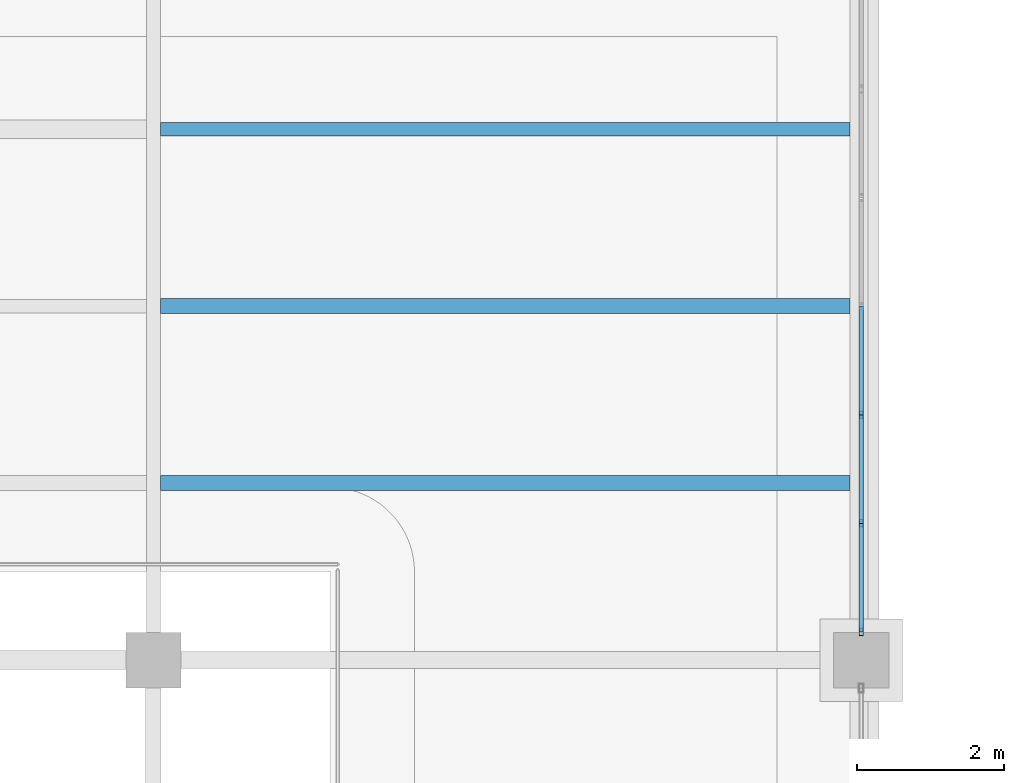
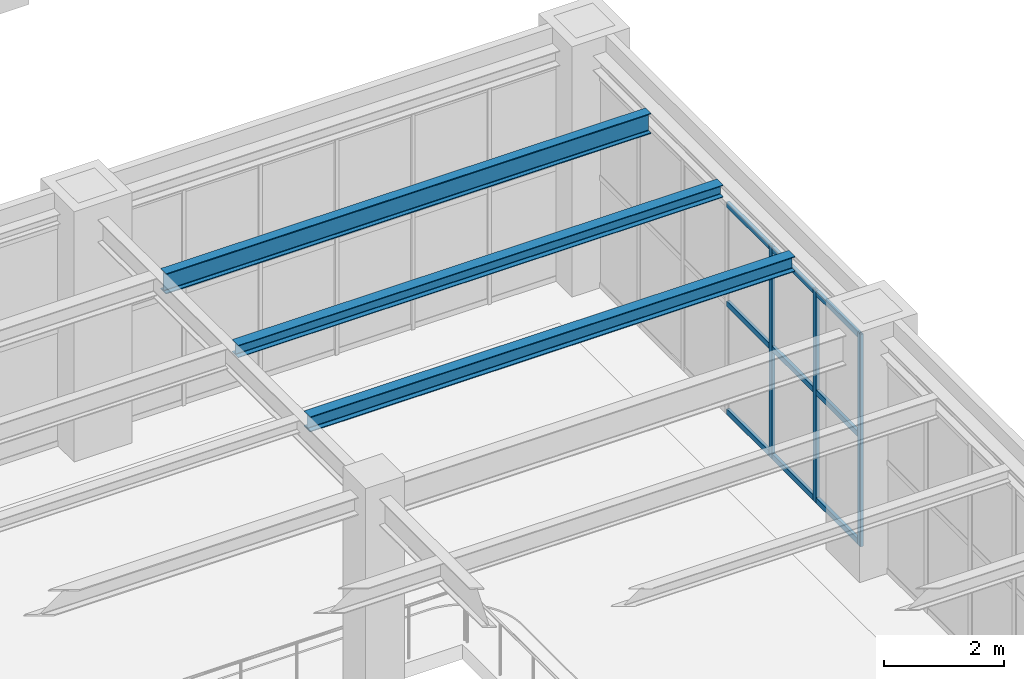
# One storey, part 27 of 174: 12 members, 3 beams, 1 element without a shape of its own.
"""IFC4 building model written with IfcOpenShell, lengths in metres."""

from ifc_helpers import new_model, si_unit, direction, frame, origin, origin_2d, place, context, subcontext, project, spatial, hollow_rectangle, i_section, extrude, material, material_profile, profile_set, type_object, element, aggregate, save


model = new_model("IFC4")

# Units and contexts
model_context = context("Model", 3, precision=1e-05, world=origin(), true_north=direction((0.0, 1.0)))
body_context = subcontext(model_context, "Body", "Model", "MODEL_VIEW")
ifc_project = project(units=[si_unit("LENGTHUNIT", "METRE"), si_unit("AREAUNIT", "SQUARE_METRE"), si_unit("VOLUMEUNIT", "CUBIC_METRE"), si_unit("PLANEANGLEUNIT", "RADIAN"), si_unit("MASSUNIT", "GRAM", prefix="KILO")], contexts=[model_context])

# Site, building, storey
site_placement = place(None, origin())
site = spatial("IfcSite", under=ifc_project, at=site_placement, CompositionType="ELEMENT")
building_placement = place(site_placement, origin())
building = spatial("IfcBuilding", under=site, at=building_placement, Name="Mavantir Sound Aquarium", CompositionType="ELEMENT")
storey_placement = place(building_placement, frame((0.0, 0.0, 5.39990234375)))
storey = spatial("IfcBuildingStorey", under=building, at=storey_placement, Name="L01", CompositionType="ELEMENT", Elevation=5.39990234375)

# Beams
ifc_material_1 = material(Name="Structural Steel ASTM A992 Gr50", Category="steel")
ifc_material_profile_1 = material_profile(ifc_material_1, i_section(OverallWidth=0.202880859375, OverallDepth=0.251953125, WebThickness=0.008056640625, FlangeThickness=0.013427734375, FilletRadius=0.011962890625, at=origin_2d()), Name="W250X58")
ifc_profile_set_1 = profile_set([ifc_material_profile_1], Name="Structural Steel ASTM A992 Gr50")
beam_type_1 = type_object("IfcBeamType", Name="BM-W250X58-I", PredefinedType="JOIST", material=ifc_profile_set_1)
beam_1_placement = place(storey_placement, frame((28.89697265625, 24.0, 4.650146484375), z_axis=(1.0, 0.0, 0.0), x_axis=(0.0, 1.0, 0.0)))
element("IfcBeam", 1, at=beam_1_placement, inside=storey, type_object=beam_type_1, Name="L01 secondary floor joist SJ-25 720", PredefinedType="JOIST", context=body_context, shape_type="SweptSolid", body=[
    extrude(i_section(OverallWidth=0.202880859375, OverallDepth=0.251953125, WebThickness=0.008056640625, FlangeThickness=0.013427734375, FilletRadius=0.011962890625, at=origin_2d()), origin(), (0.0, 0.0, 1.0), 9.3505859375),
])
ifc_material_profile_2 = material_profile(ifc_material_1, i_section(OverallWidth=0.205078125, OverallDepth=0.31005859375, WebThickness=0.009521484375, FlangeThickness=0.016357421875, FilletRadius=0.012939453125, at=origin_2d()), Name="W310X74")
ifc_profile_set_2 = profile_set([ifc_material_profile_2], Name="Structural Steel ASTM A992 Gr50")
beam_type_2 = type_object("IfcBeamType", Name="BM-W310X74-I", PredefinedType="JOIST", material=ifc_profile_set_2)
beam_2_placement = place(storey_placement, frame((28.89697265625, 21.60009765625, 4.62109375), z_axis=(1.0, 0.0, 0.0), x_axis=(0.0, 1.0, 0.0)))
element("IfcBeam", 2, at=beam_2_placement, inside=storey, type_object=beam_type_2, Name="L01 secondary floor joist SJ-31 719", PredefinedType="JOIST", context=body_context, shape_type="SweptSolid", body=[
    extrude(i_section(OverallWidth=0.205078125, OverallDepth=0.31005859375, WebThickness=0.009521484375, FlangeThickness=0.016357421875, FilletRadius=0.012939453125, at=origin_2d()), origin(), (0.0, 0.0, 1.0), 9.3505859375),
])
ifc_material_profile_3 = material_profile(ifc_material_1, i_section(OverallWidth=0.180908203125, OverallDepth=0.4169921875, WebThickness=0.010986328125, FlangeThickness=0.018310546875, FilletRadius=0.014892578125, at=origin_2d()), Name="W410X85")
ifc_profile_set_3 = profile_set([ifc_material_profile_3], Name="Structural Steel ASTM A992 Gr50")
beam_type_3 = type_object("IfcBeamType", Name="BM-W410X85-I", PredefinedType="JOIST", material=ifc_profile_set_3)
beam_3_placement = place(storey_placement, frame((28.89697265625, 26.39990234375, 4.567626953125), z_axis=(1.0, 0.0, 0.0), x_axis=(0.0, 1.0, 0.0)))
element("IfcBeam", 3, at=beam_3_placement, inside=storey, type_object=beam_type_3, Name="L01 secondary floor joist SJ-41 721", PredefinedType="JOIST", context=body_context, shape_type="SweptSolid", body=[
    extrude(i_section(OverallWidth=0.180908203125, OverallDepth=0.4169921875, WebThickness=0.010986328125, FlangeThickness=0.018310546875, FilletRadius=0.014892578125, at=origin_2d()), origin(), (0.0, 0.0, 1.0), 9.3505859375),
])

# Curtain wall, members
ifc_material_2 = material(Name="Anodised Marine Aluminium and Low-E Glass", Category="aluminium")
curtain_wall_type = type_object("IfcCurtainWallType", Name="CW-T21", PredefinedType="USERDEFINED", material=ifc_material_2)
curtain_wall_placement = place(storey_placement, origin())
curtain_wall = element("IfcCurtainWall", 4, at=curtain_wall_placement, inside=storey, type_object=curtain_wall_type, Name="L01 unitised curtain wall CW-21 69", ObjectType="UNITISED GLAZING", PredefinedType="USERDEFINED")
ifc_material_3 = material(Name="Anodised Marine Aluminium 6063-T6", Category="aluminium")
ifc_material_profile_4 = material_profile(ifc_material_3, hollow_rectangle(XDim=0.06005859375, YDim=0.10009765625, WallThickness=0.00390625, at=origin_2d()), Name="ALU-MULLION-100X60")
ifc_profile_set_4 = profile_set([ifc_material_profile_4], Name="Anodised Marine Aluminium 6063-T6")
member_type_1 = type_object("IfcMemberType", Name="CW-MUL-100", PredefinedType="MULLION", material=ifc_profile_set_4)
member_1_placement = place(storey_placement, frame((38.39990234375, 19.5830078125, 0.0), z_axis=(0.0, 0.0, 1.0), x_axis=(1.0, 0.0, 0.0)))
member_1 = element("IfcMember", 5, at=member_1_placement, type_object=member_type_1, Name="CW-L01-069 vertical mullion 1", PredefinedType="MULLION", context=body_context, shape_type="SweptSolid", body=[
    extrude(hollow_rectangle(XDim=0.06005859375, YDim=0.10009765625, WallThickness=0.00390625, at=origin_2d()), origin(), (0.0, 0.0, 1.0), 4.3291015625),
])
member_2_placement = place(storey_placement, frame((38.39990234375, 21.055419921875, 0.0), z_axis=(0.0, 0.0, 1.0), x_axis=(1.0, 0.0, 0.0)))
member_2 = element("IfcMember", 6, at=member_2_placement, type_object=member_type_1, Name="CW-L01-069 vertical mullion 2", PredefinedType="MULLION", context=body_context, shape_type="SweptSolid", body=[
    extrude(hollow_rectangle(XDim=0.06005859375, YDim=0.10009765625, WallThickness=0.00390625, at=origin_2d()), origin(), (0.0, 0.0, 1.0), 4.3291015625),
])
member_3_placement = place(storey_placement, frame((38.39990234375, 22.527587890625, 0.0), z_axis=(0.0, 0.0, 1.0), x_axis=(1.0, 0.0, 0.0)))
member_3 = element("IfcMember", 7, at=member_3_placement, type_object=member_type_1, Name="CW-L01-069 vertical mullion 3", PredefinedType="MULLION", context=body_context, shape_type="SweptSolid", body=[
    extrude(hollow_rectangle(XDim=0.06005859375, YDim=0.10009765625, WallThickness=0.00390625, at=origin_2d()), origin(), (0.0, 0.0, 1.0), 4.3291015625),
])
ifc_material_profile_5 = material_profile(ifc_material_3, hollow_rectangle(XDim=0.06005859375, YDim=0.110107421875, WallThickness=0.00390625, at=origin_2d()), Name="ALU-TRANSOM-110X60")
ifc_profile_set_5 = profile_set([ifc_material_profile_5], Name="Anodised Marine Aluminium 6063-T6")
member_type_2 = type_object("IfcMemberType", Name="CW-TRN-110", PredefinedType="USERDEFINED", material=ifc_profile_set_5)
member_4_placement = place(storey_placement, frame((38.39990234375, 19.5830078125, 0.05517578125), z_axis=(0.0, 1.0, 0.0), x_axis=(-1.0, 0.0, 0.0)))
member_4 = element("IfcMember", 8, at=member_4_placement, type_object=member_type_2, Name="CW-L01-069 transom 1.1", ObjectType="TRANSOM", PredefinedType="USERDEFINED", context=body_context, shape_type="SweptSolid", body=[
    extrude(hollow_rectangle(XDim=0.06005859375, YDim=0.110107421875, WallThickness=0.00390625, at=origin_2d()), origin(), (0.0, 0.0, 1.0), 1.472412109375),
])
member_5_placement = place(storey_placement, frame((38.39990234375, 19.5830078125, 2.251220703125), z_axis=(0.0, 1.0, 0.0), x_axis=(-1.0, 0.0, 0.0)))
member_5 = element("IfcMember", 9, at=member_5_placement, type_object=member_type_2, Name="CW-L01-069 transom 1.2", ObjectType="TRANSOM", PredefinedType="USERDEFINED", context=body_context, shape_type="SweptSolid", body=[
    extrude(hollow_rectangle(XDim=0.06005859375, YDim=0.110107421875, WallThickness=0.00390625, at=origin_2d()), origin(), (0.0, 0.0, 1.0), 1.472412109375),
])
member_6_placement = place(storey_placement, frame((38.39990234375, 19.5830078125, 4.274169921875), z_axis=(0.0, 1.0, 0.0), x_axis=(-1.0, 0.0, 0.0)))
member_6 = element("IfcMember", 10, at=member_6_placement, type_object=member_type_2, Name="CW-L01-069 transom 1.3", ObjectType="TRANSOM", PredefinedType="USERDEFINED", context=body_context, shape_type="SweptSolid", body=[
    extrude(hollow_rectangle(XDim=0.06005859375, YDim=0.110107421875, WallThickness=0.00390625, at=origin_2d()), origin(), (0.0, 0.0, 1.0), 1.472412109375),
])
member_7_placement = place(storey_placement, frame((38.39990234375, 21.055419921875, 0.05517578125), z_axis=(0.0, 1.0, 0.0), x_axis=(-1.0, 0.0, 0.0)))
member_7 = element("IfcMember", 11, at=member_7_placement, type_object=member_type_2, Name="CW-L01-069 transom 2.1", ObjectType="TRANSOM", PredefinedType="USERDEFINED", context=body_context, shape_type="SweptSolid", body=[
    extrude(hollow_rectangle(XDim=0.06005859375, YDim=0.110107421875, WallThickness=0.00390625, at=origin_2d()), origin(), (0.0, 0.0, 1.0), 1.47216796875),
])
member_8_placement = place(storey_placement, frame((38.39990234375, 21.055419921875, 2.251220703125), z_axis=(0.0, 1.0, 0.0), x_axis=(-1.0, 0.0, 0.0)))
member_8 = element("IfcMember", 12, at=member_8_placement, type_object=member_type_2, Name="CW-L01-069 transom 2.2", ObjectType="TRANSOM", PredefinedType="USERDEFINED", context=body_context, shape_type="SweptSolid", body=[
    extrude(hollow_rectangle(XDim=0.06005859375, YDim=0.110107421875, WallThickness=0.00390625, at=origin_2d()), origin(), (0.0, 0.0, 1.0), 1.47216796875),
])
member_9_placement = place(storey_placement, frame((38.39990234375, 21.055419921875, 4.274169921875), z_axis=(0.0, 1.0, 0.0), x_axis=(-1.0, 0.0, 0.0)))
member_9 = element("IfcMember", 13, at=member_9_placement, type_object=member_type_2, Name="CW-L01-069 transom 2.3", ObjectType="TRANSOM", PredefinedType="USERDEFINED", context=body_context, shape_type="SweptSolid", body=[
    extrude(hollow_rectangle(XDim=0.06005859375, YDim=0.110107421875, WallThickness=0.00390625, at=origin_2d()), origin(), (0.0, 0.0, 1.0), 1.47216796875),
])
member_10_placement = place(storey_placement, frame((38.39990234375, 22.527587890625, 0.05517578125), z_axis=(0.0, 1.0, 0.0), x_axis=(-1.0, 0.0, 0.0)))
member_10 = element("IfcMember", 14, at=member_10_placement, type_object=member_type_2, Name="CW-L01-069 transom 3.1", ObjectType="TRANSOM", PredefinedType="USERDEFINED", context=body_context, shape_type="SweptSolid", body=[
    extrude(hollow_rectangle(XDim=0.06005859375, YDim=0.110107421875, WallThickness=0.00390625, at=origin_2d()), origin(), (0.0, 0.0, 1.0), 1.472412109375),
])
member_11_placement = place(storey_placement, frame((38.39990234375, 22.527587890625, 2.251220703125), z_axis=(0.0, 1.0, 0.0), x_axis=(-1.0, 0.0, 0.0)))
member_11 = element("IfcMember", 15, at=member_11_placement, type_object=member_type_2, Name="CW-L01-069 transom 3.2", ObjectType="TRANSOM", PredefinedType="USERDEFINED", context=body_context, shape_type="SweptSolid", body=[
    extrude(hollow_rectangle(XDim=0.06005859375, YDim=0.110107421875, WallThickness=0.00390625, at=origin_2d()), origin(), (0.0, 0.0, 1.0), 1.472412109375),
])
member_12_placement = place(storey_placement, frame((38.39990234375, 22.527587890625, 4.274169921875), z_axis=(0.0, 1.0, 0.0), x_axis=(-1.0, 0.0, 0.0)))
member_12 = element("IfcMember", 16, at=member_12_placement, type_object=member_type_2, Name="CW-L01-069 transom 3.3", ObjectType="TRANSOM", PredefinedType="USERDEFINED", context=body_context, shape_type="SweptSolid", body=[
    extrude(hollow_rectangle(XDim=0.06005859375, YDim=0.110107421875, WallThickness=0.00390625, at=origin_2d()), origin(), (0.0, 0.0, 1.0), 1.472412109375),
])
aggregate(curtain_wall, [member_1, member_2, member_3, member_4, member_5, member_6, member_7, member_8, member_9, member_10, member_11, member_12])

save(model, "model.ifc")
